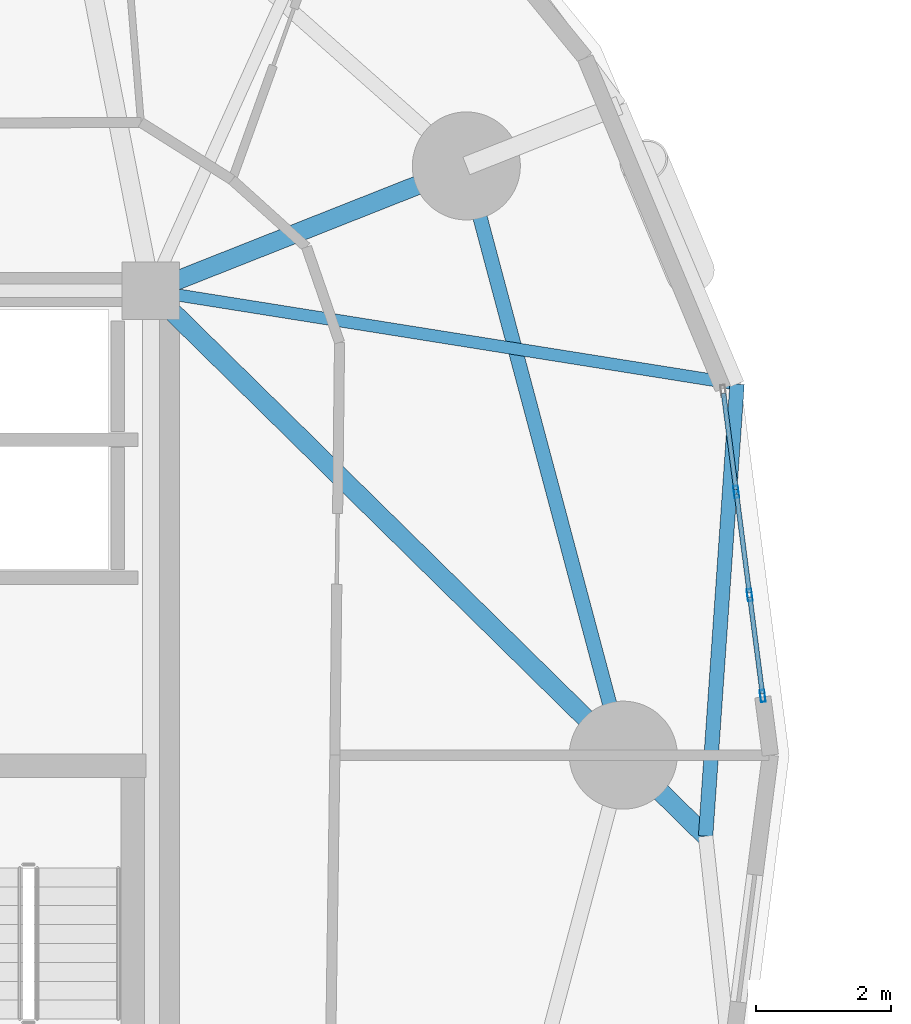
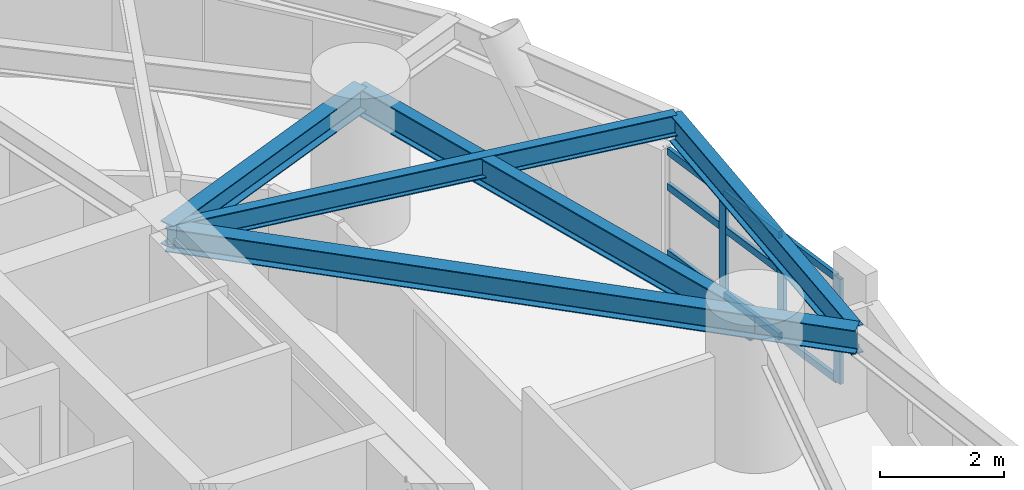
# One storey, part 2 of 15: 12 members, 5 beams, 1 element without a shape of its own.
"""IFC4 building model written with IfcOpenShell, lengths in metres."""

from ifc_helpers import new_model, si_unit, direction, frame, origin, origin_2d, place, context, subcontext, project, spatial, hollow_rectangle, i_section, extrude, material, layer, layer_set, material_profile, profile_set, type_object, element, aggregate, save


model = new_model("IFC4")

# Units and contexts
model_context = context("Model", 3, precision=1e-05, world=origin(), true_north=direction((0.0, 1.0)))
body_context = subcontext(model_context, "Body", "Model", "MODEL_VIEW")
ifc_project = project(units=[si_unit("LENGTHUNIT", "METRE"), si_unit("AREAUNIT", "SQUARE_METRE"), si_unit("VOLUMEUNIT", "CUBIC_METRE"), si_unit("PLANEANGLEUNIT", "RADIAN"), si_unit("MASSUNIT", "GRAM", prefix="KILO")], contexts=[model_context])

# Site, building, storey
site_placement = place(None, origin())
site = spatial("IfcSite", under=ifc_project, at=site_placement, CompositionType="ELEMENT")
building_placement = place(site_placement, origin())
building = spatial("IfcBuilding", under=site, at=building_placement, Name="Cununo Teusaquillo Station Towers", CompositionType="ELEMENT")
storey_placement = place(building_placement, frame((0.0, 0.0, 24.909912109375)))
storey = spatial("IfcBuildingStorey", under=building, at=storey_placement, Name="L06", CompositionType="ELEMENT", Elevation=24.909912109375)

# Beams
ifc_material_1 = material(Name="Steel ASTM A572 Grade 50", Category="steel")
ifc_material_profile_1 = material_profile(ifc_material_1, i_section(OverallWidth=0.180908203125, OverallDepth=0.4169921875, WebThickness=0.010986328125, FlangeThickness=0.018310546875, FilletRadius=0.012939453125, at=origin_2d()), Name="W16X57")
ifc_profile_set_1 = profile_set([ifc_material_profile_1], Name="Steel ASTM A572 Grade 50")
beam_type_1 = type_object("IfcBeamType", Name="BM-JOIST-1", PredefinedType="JOIST", material=ifc_profile_set_1)
beam_1_placement = place(storey_placement, frame((21.675048828125, 31.3798828125, 2.441650390625), z_axis=(0.987559048351, -0.157248612141, 0.0), x_axis=(0.157248612141, 0.987559048351, 0.0)))
element("IfcBeam", 1, at=beam_1_placement, inside=storey, type_object=beam_type_1, Name="L06 Tower A Radial Spandrel Joist V01", PredefinedType="JOIST", context=body_context, shape_type="SweptSolid", body=[
    extrude(i_section(OverallWidth=0.180908203125, OverallDepth=0.4169921875, WebThickness=0.010986328125, FlangeThickness=0.018310546875, FilletRadius=0.012939453125, at=origin_2d()), origin(), (0.0, 0.0, 1.0), 8.792236328125),
])
ifc_material_2 = material(Name="Steel ASTM A572 Grade 50", Category="steel")
ifc_material_profile_2 = material_profile(ifc_material_2, i_section(OverallWidth=0.280029296875, OverallDepth=0.462890625, WebThickness=0.0107421875, FlangeThickness=0.017333984375, FilletRadius=0.013916015625, at=origin_2d()), Name="W18X76")
ifc_profile_set_2 = profile_set([ifc_material_profile_2], Name="Steel ASTM A572 Grade 50")
beam_type_2 = type_object("IfcBeamType", Name="BM-RAD-G1", PredefinedType="BEAM", material=ifc_profile_set_2)
beam_2_placement = place(storey_placement, frame((21.675048828125, 31.3798828125, 2.418701171875), z_axis=(0.713056160575, -0.701106918997, 0.0), x_axis=(0.701106918997, 0.713056160575, 0.0)))
element("IfcBeam", 2, at=beam_2_placement, inside=storey, type_object=beam_type_2, Name="L06 Tower A Continuous Overhanging Radial Girder 01", PredefinedType="BEAM", context=body_context, shape_type="SweptSolid", body=[
    extrude(i_section(OverallWidth=0.280029296875, OverallDepth=0.462890625, WebThickness=0.0107421875, FlangeThickness=0.017333984375, FilletRadius=0.013916015625, at=origin_2d()), origin(), (0.0, 0.0, 1.0), 11.5234375),
])
beam_3_placement = place(storey_placement, frame((21.675048828125, 31.3798828125, 2.418701171875), z_axis=(0.929864104313, 0.367903176814, 0.0), x_axis=(-0.367903176814, 0.929864104313, 0.0)))
element("IfcBeam", 3, at=beam_3_placement, inside=storey, type_object=beam_type_2, Name="L06 Tower A Radial Girder 02A", PredefinedType="BEAM", context=body_context, shape_type="SweptSolid", body=[
    extrude(i_section(OverallWidth=0.280029296875, OverallDepth=0.462890625, WebThickness=0.0107421875, FlangeThickness=0.017333984375, FilletRadius=0.013916015625, at=origin_2d()), origin(), (0.0, 0.0, 1.0), 5.02490234375),
])
ifc_material_3 = material(Name="Steel ASTM A572 Grade 50", Category="steel")
ifc_material_profile_3 = material_profile(ifc_material_3, i_section(OverallWidth=0.214111328125, OverallDepth=0.549072265625, WebThickness=0.0146484375, FlangeThickness=0.023681640625, FilletRadius=0.014892578125, at=origin_2d()), Name="W21X93")
ifc_profile_set_3 = profile_set([ifc_material_profile_3], Name="Steel ASTM A572 Grade 50")
beam_type_3 = type_object("IfcBeamType", Name="BM-RING-Z1", PredefinedType="SPANDREL", material=ifc_profile_set_3)
beam_4_placement = place(storey_placement, frame((28.672119140625, 24.5, 2.37548828125), z_axis=(-0.257363196347, 0.966314744359, 0.0), x_axis=(-0.966314744359, -0.257363196347, 0.0)))
element("IfcBeam", 4, at=beam_4_placement, inside=storey, type_object=beam_type_3, Name="L06 Tower A Structural Column Ring Girder 01", PredefinedType="SPANDREL", context=body_context, shape_type="SweptSolid", body=[
    extrude(i_section(OverallWidth=0.214111328125, OverallDepth=0.549072265625, WebThickness=0.0146484375, FlangeThickness=0.023681640625, FilletRadius=0.014892578125, at=origin_2d()), origin(), (0.0, 0.0, 1.0), 9.03271484375),
])
beam_5_placement = place(storey_placement, frame((29.891845703125, 23.30078125, 2.37548828125), z_axis=(0.069429919473, 0.99758683145, 0.0), x_axis=(-0.99758683145, 0.069429919473, 0.0)))
element("IfcBeam", 5, at=beam_5_placement, inside=storey, type_object=beam_type_3, Name="L06 Tower A Spandrel Ring Beam 01", PredefinedType="SPANDREL", context=body_context, shape_type="SweptSolid", body=[
    extrude(i_section(OverallWidth=0.214111328125, OverallDepth=0.549072265625, WebThickness=0.0146484375, FlangeThickness=0.023681640625, FilletRadius=0.014892578125, at=origin_2d()), origin(), (0.0, 0.0, 1.0), 6.712646484375),
])

# Curtain wall, members
ifc_material_4 = material(Name="Ceramic-fritted dark low-E double glazing", Category="glass")
ifc_layer = layer(ifc_material_4, 0.179931640625)
ifc_layer_set = layer_set([ifc_layer], Name="Ceramic-fritted dark low-E double glazing")
curtain_wall_type = type_object("IfcCurtainWallType", Name="CW-SYS-02", PredefinedType="USERDEFINED", material=ifc_layer_set)
curtain_wall_placement = place(storey_placement, origin())
curtain_wall = element("IfcCurtainWall", 6, at=curtain_wall_placement, inside=storey, type_object=curtain_wall_type, Name="L06 Tower A Facade Curtain Wall C00", ObjectType="FRITTED GLAZING", PredefinedType="USERDEFINED")
ifc_material_5 = material(Name="Anodised dark bronze aluminium EN AW-6063-T6", Category="aluminium")
ifc_material_profile_4 = material_profile(ifc_material_5, hollow_rectangle(XDim=0.070068359375, YDim=0.179931640625, WallThickness=0.00390625, at=origin_2d()), Name="CW-MULL-70x180")
ifc_profile_set_4 = profile_set([ifc_material_profile_4], Name="Anodised dark bronze aluminium EN AW-6063-T6")
member_type_1 = type_object("IfcMemberType", Name="CWM-180", PredefinedType="MULLION", material=ifc_profile_set_4)
member_1_placement = place(storey_placement, frame((30.346435546875, 28.400634765625, 0.0), z_axis=(0.0, 0.0, 1.0), x_axis=(0.991736471431, 0.128291742659, 0.0)))
member_1 = element("IfcMember", 7, at=member_1_placement, type_object=member_type_1, Name="CW-02 mullion 2", PredefinedType="MULLION", context=body_context, shape_type="SweptSolid", body=[
    extrude(hollow_rectangle(XDim=0.070068359375, YDim=0.179931640625, WallThickness=0.00390625, at=origin_2d()), origin(), (0.0, 0.0, 1.0), 2.072998046875),
])
member_2_placement = place(storey_placement, frame((30.544189453125, 26.871826171875, 0.0), z_axis=(0.0, 0.0, 1.0), x_axis=(0.991736471431, 0.128291742659, 0.0)))
member_2 = element("IfcMember", 8, at=member_2_placement, type_object=member_type_1, Name="CW-02 mullion 3", PredefinedType="MULLION", context=body_context, shape_type="SweptSolid", body=[
    extrude(hollow_rectangle(XDim=0.070068359375, YDim=0.179931640625, WallThickness=0.00390625, at=origin_2d()), origin(), (0.0, 0.0, 1.0), 2.072998046875),
])
member_3_placement = place(storey_placement, frame((30.7373046875, 25.377685546875, 0.0), z_axis=(0.0, 0.0, 1.0), x_axis=(0.991736471431, 0.128291742659, 0.0)))
member_3 = element("IfcMember", 9, at=member_3_placement, type_object=member_type_1, Name="CW-02 mullion 4", PredefinedType="MULLION", context=body_context, shape_type="SweptSolid", body=[
    extrude(hollow_rectangle(XDim=0.070068359375, YDim=0.179931640625, WallThickness=0.00390625, at=origin_2d()), origin(), (0.0, 0.0, 1.0), 2.072998046875),
])
ifc_material_6 = material(Name="Anodised dark bronze aluminium EN AW-6063-T6", Category="aluminium")
ifc_material_profile_5 = material_profile(ifc_material_6, hollow_rectangle(XDim=0.070068359375, YDim=0.139892578125, WallThickness=0.00390625, at=origin_2d()), Name="CW-TRAN-70x140")
ifc_profile_set_5 = profile_set([ifc_material_profile_5], Name="Anodised dark bronze aluminium EN AW-6063-T6")
member_type_2 = type_object("IfcMemberType", Name="CWT-140", PredefinedType="USERDEFINED", material=ifc_profile_set_5)
member_4_placement = place(storey_placement, frame((30.157470703125, 29.85986328125, 0.03515625), z_axis=(0.128321866911, -0.991732574071, 0.0), x_axis=(0.991732574071, 0.128321866911, 0.0)))
member_4 = element("IfcMember", 10, at=member_4_placement, type_object=member_type_2, Name="CW-02 transom 1.1", ObjectType="TRANSOM", PredefinedType="USERDEFINED", context=body_context, shape_type="SweptSolid", body=[
    extrude(hollow_rectangle(XDim=0.070068359375, YDim=0.139892578125, WallThickness=0.00390625, at=origin_2d()), origin(), (0.0, 0.0, 1.0), 1.4365234375),
])
member_5_placement = place(storey_placement, frame((30.157470703125, 29.85986328125, 1.34716796875), z_axis=(0.128321866911, -0.991732574071, 0.0), x_axis=(0.991732574071, 0.128321866911, 0.0)))
member_5 = element("IfcMember", 11, at=member_5_placement, type_object=member_type_2, Name="CW-02 transom 1.2", ObjectType="TRANSOM", PredefinedType="USERDEFINED", context=body_context, shape_type="SweptSolid", body=[
    extrude(hollow_rectangle(XDim=0.070068359375, YDim=0.139892578125, WallThickness=0.00390625, at=origin_2d()), origin(), (0.0, 0.0, 1.0), 1.4365234375),
])
member_6_placement = place(storey_placement, frame((30.157470703125, 29.85986328125, 2.0380859375), z_axis=(0.128321866911, -0.991732574071, 0.0), x_axis=(0.991732574071, 0.128321866911, 0.0)))
member_6 = element("IfcMember", 12, at=member_6_placement, type_object=member_type_2, Name="CW-02 transom 1.3", ObjectType="TRANSOM", PredefinedType="USERDEFINED", context=body_context, shape_type="SweptSolid", body=[
    extrude(hollow_rectangle(XDim=0.070068359375, YDim=0.139892578125, WallThickness=0.00390625, at=origin_2d()), origin(), (0.0, 0.0, 1.0), 1.4365234375),
])
member_7_placement = place(storey_placement, frame((30.350830078125, 28.365966796875, 0.03515625), z_axis=(0.128239793583, -0.991743190217, 0.0), x_axis=(0.991743190217, 0.128239793583, 0.0)))
member_7 = element("IfcMember", 13, at=member_7_placement, type_object=member_type_2, Name="CW-02 transom 2.1", ObjectType="TRANSOM", PredefinedType="USERDEFINED", context=body_context, shape_type="SweptSolid", body=[
    extrude(hollow_rectangle(XDim=0.070068359375, YDim=0.139892578125, WallThickness=0.00390625, at=origin_2d()), origin(), (0.0, 0.0, 1.0), 1.4716796875),
])
member_8_placement = place(storey_placement, frame((30.350830078125, 28.365966796875, 1.34716796875), z_axis=(0.128239793583, -0.991743190217, 0.0), x_axis=(0.991743190217, 0.128239793583, 0.0)))
member_8 = element("IfcMember", 14, at=member_8_placement, type_object=member_type_2, Name="CW-02 transom 2.2", ObjectType="TRANSOM", PredefinedType="USERDEFINED", context=body_context, shape_type="SweptSolid", body=[
    extrude(hollow_rectangle(XDim=0.070068359375, YDim=0.139892578125, WallThickness=0.00390625, at=origin_2d()), origin(), (0.0, 0.0, 1.0), 1.4716796875),
])
member_9_placement = place(storey_placement, frame((30.350830078125, 28.365966796875, 2.0380859375), z_axis=(0.128239793583, -0.991743190217, 0.0), x_axis=(0.991743190217, 0.128239793583, 0.0)))
member_9 = element("IfcMember", 15, at=member_9_placement, type_object=member_type_2, Name="CW-02 transom 2.3", ObjectType="TRANSOM", PredefinedType="USERDEFINED", context=body_context, shape_type="SweptSolid", body=[
    extrude(hollow_rectangle(XDim=0.070068359375, YDim=0.139892578125, WallThickness=0.00390625, at=origin_2d()), origin(), (0.0, 0.0, 1.0), 1.4716796875),
])
member_10_placement = place(storey_placement, frame((30.548583984375, 26.837158203125, 0.03515625), z_axis=(0.128300240902, -0.991735372055, 0.0), x_axis=(0.991735372055, 0.128300240902, 0.0)))
member_10 = element("IfcMember", 16, at=member_10_placement, type_object=member_type_2, Name="CW-02 transom 3.1", ObjectType="TRANSOM", PredefinedType="USERDEFINED", context=body_context, shape_type="SweptSolid", body=[
    extrude(hollow_rectangle(XDim=0.070068359375, YDim=0.139892578125, WallThickness=0.00390625, at=origin_2d()), origin(), (0.0, 0.0, 1.0), 1.436767578125),
])
member_11_placement = place(storey_placement, frame((30.548583984375, 26.837158203125, 1.34716796875), z_axis=(0.128300240902, -0.991735372055, 0.0), x_axis=(0.991735372055, 0.128300240902, 0.0)))
member_11 = element("IfcMember", 17, at=member_11_placement, type_object=member_type_2, Name="CW-02 transom 3.2", ObjectType="TRANSOM", PredefinedType="USERDEFINED", context=body_context, shape_type="SweptSolid", body=[
    extrude(hollow_rectangle(XDim=0.070068359375, YDim=0.139892578125, WallThickness=0.00390625, at=origin_2d()), origin(), (0.0, 0.0, 1.0), 1.436767578125),
])
member_12_placement = place(storey_placement, frame((30.548583984375, 26.837158203125, 2.0380859375), z_axis=(0.128300240902, -0.991735372055, 0.0), x_axis=(0.991735372055, 0.128300240902, 0.0)))
member_12 = element("IfcMember", 18, at=member_12_placement, type_object=member_type_2, Name="CW-02 transom 3.3", ObjectType="TRANSOM", PredefinedType="USERDEFINED", context=body_context, shape_type="SweptSolid", body=[
    extrude(hollow_rectangle(XDim=0.070068359375, YDim=0.139892578125, WallThickness=0.00390625, at=origin_2d()), origin(), (0.0, 0.0, 1.0), 1.436767578125),
])
aggregate(curtain_wall, [member_1, member_2, member_3, member_4, member_5, member_6, member_7, member_8, member_9, member_10, member_11, member_12])

save(model, "model.ifc")
